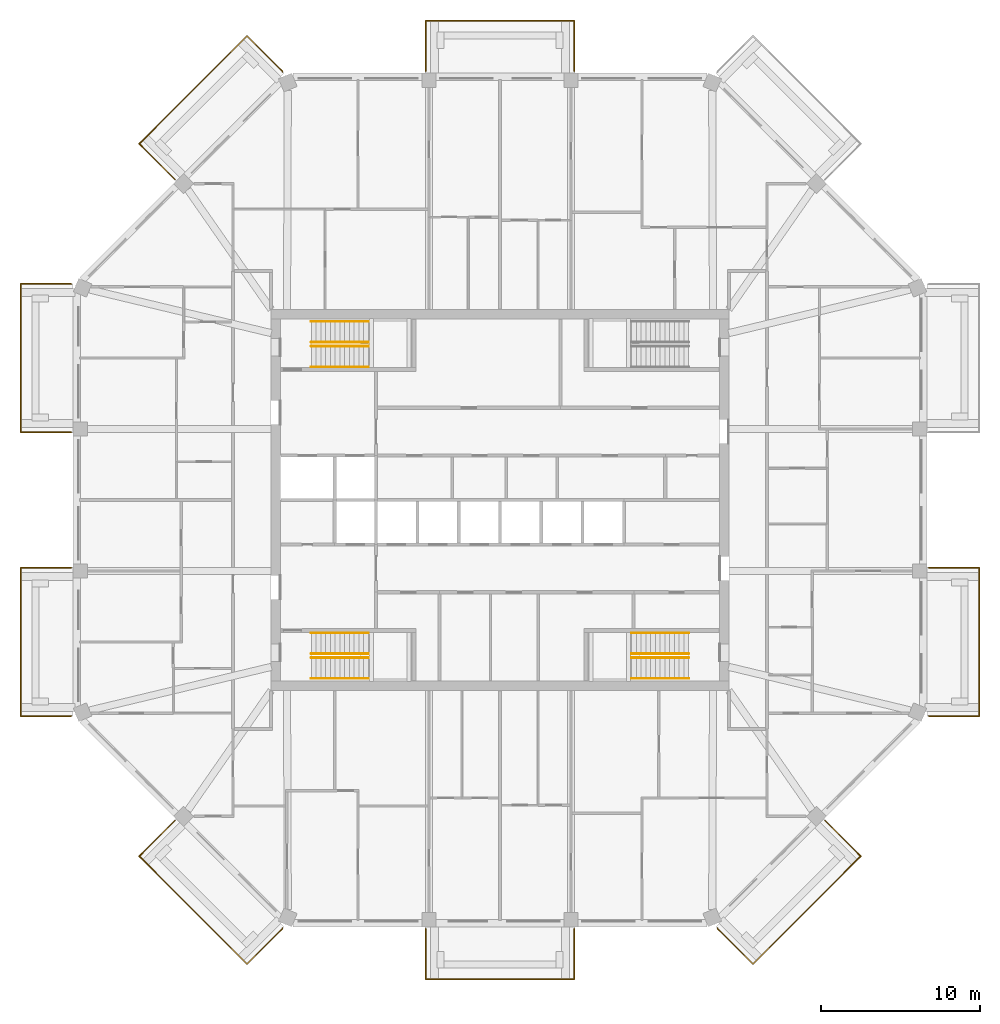
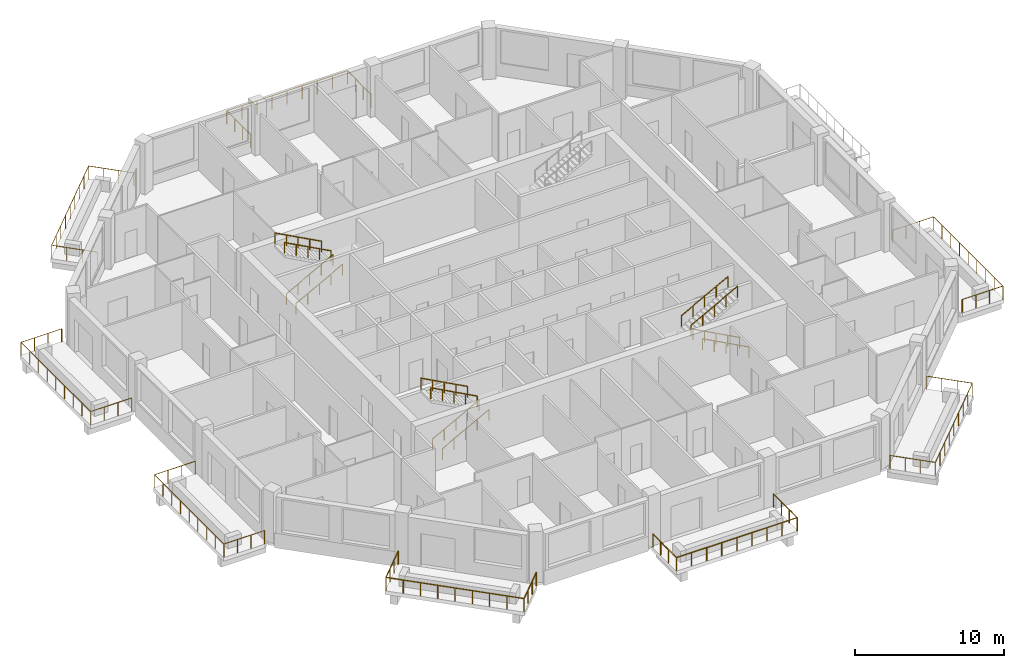
# One storey, part 11 of 12: 20 railings.
"""IFC4 building model written with IfcOpenShell, lengths in metres."""

import ifcopenshell
import ifcopenshell.guid

model = None  # the IFC model being written
_history = None  # IfcOwnerHistory: only IFC2X3 demands one
_inside = {}  # id of a spatial element -> (the spatial element, [elements in it])
_under = {}  # id of a project, library or spatial element -> (it, [spatial elements below it])
_declared = {}  # id of a project -> (the project, [libraries it declares])
_typed = {}  # id of a type object -> (the type object, [elements of that type])
_made_of = {}  # id of a material, layer set ... -> (it, [elements and type objects made of it])


def new_model(schema):
    """Start an empty IFC model of exactly this schema.

    Asked for "IFC4X3", IfcOpenShell would pick the latest addendum, in which some entities
    have other attributes; the version numbers below select the first issue.
    IFC2X3 requires an IfcOwnerHistory on every rooted entity: one is made here for all.
    """
    global model, _history
    if schema == "IFC4X3":
        model = ifcopenshell.file(schema_version=(4, 3, 0, 0))
    else:
        model = ifcopenshell.file(schema=schema)
    _inside.clear()
    _under.clear()
    _declared.clear()
    _typed.clear()
    _made_of.clear()
    _history = None
    if model.schema == "IFC2X3":
        org = make("IfcOrganization", Name="unknown")
        user = make(
            "IfcPersonAndOrganization",
            ThePerson=make("IfcPerson", FamilyName="unknown"),
            TheOrganization=org,
        )
        app = make(
            "IfcApplication",
            ApplicationDeveloper=org,
            Version="unknown",
            ApplicationFullName="unknown",
            ApplicationIdentifier="unknown",
        )
        _history = make(
            "IfcOwnerHistory",
            OwningUser=user,
            OwningApplication=app,
            ChangeAction="ADDED",
            CreationDate=0,
        )
    return model


def make(cls, **values):
    """One entity of the class cls with the attributes given. An attribute that is None is left unset."""
    return model.create_entity(
        cls, **{name: value for name, value in values.items() if value is not None}
    )


def rooted(cls, **values):
    """An entity with a GlobalId (a new one), such as an element, a storey or a relation."""
    return make(cls, GlobalId=ifcopenshell.guid.new(), OwnerHistory=_history, **values)


def si_unit(unit_type, name, prefix=None):
    """IfcSIUnit, for example si_unit("LENGTHUNIT", "METRE", prefix="MILLI")."""
    return make("IfcSIUnit", UnitType=unit_type, Prefix=prefix, Name=name)


def assignment(units):
    """IfcUnitAssignment: the units of a project."""
    return None if units is None else make("IfcUnitAssignment", Units=units)


def point(xyz):
    """IfcCartesianPoint."""
    return None if xyz is None else make("IfcCartesianPoint", Coordinates=xyz)


def direction(xyz):
    """IfcDirection."""
    return None if xyz is None else make("IfcDirection", DirectionRatios=xyz)


def frame(location, z_axis=None, x_axis=None):
    """IfcAxis2Placement3D, a coordinate frame: its origin and axes. An axis left out is left unset."""
    return make(
        "IfcAxis2Placement3D",
        Location=point(location),
        Axis=direction(z_axis),
        RefDirection=direction(x_axis),
    )


def frame_2d(location, x_axis=None):
    """IfcAxis2Placement2D, a coordinate frame in the plane: its origin and x axis."""
    return make(
        "IfcAxis2Placement2D", Location=point(location), RefDirection=direction(x_axis)
    )


def origin():
    """The frame at (0, 0, 0) with its axes left unset."""
    return frame((0.0, 0.0, 0.0))


def origin_2d():
    """The frame at (0, 0) in the plane with its x axis left unset."""
    return frame_2d((0.0, 0.0))


def place(relative_to, where):
    """IfcLocalPlacement: puts the frame where relative to a parent placement (None: the world)."""
    return make(
        "IfcLocalPlacement", PlacementRelTo=relative_to, RelativePlacement=where
    )


def context(
    kind, dimensions, precision=None, world=None, true_north=None, identifier=None
):
    """IfcGeometricRepresentationContext, for example the 3D "Model" context."""
    return make(
        "IfcGeometricRepresentationContext",
        ContextIdentifier=identifier,
        ContextType=kind,
        CoordinateSpaceDimension=dimensions,
        Precision=precision,
        WorldCoordinateSystem=world,
        TrueNorth=true_north,
    )


def subcontext(parent, identifier, kind, view, scale=None):
    """IfcGeometricRepresentationSubContext, for example "Body" below "Model"."""
    return make(
        "IfcGeometricRepresentationSubContext",
        ContextIdentifier=identifier,
        ContextType=kind,
        ParentContext=parent,
        TargetScale=scale,
        TargetView=view,
    )


def project(units=None, contexts=None):
    """IfcProject with its units and contexts."""
    return rooted(
        "IfcProject",
        Name="project",
        RepresentationContexts=contexts,
        UnitsInContext=assignment(units),
    )


def spatial(cls, under=None, at=None, **own):
    """A site, building, storey or space (cls), placed at a placement, below another one or the project."""
    s = rooted(cls, ObjectPlacement=at, **own)
    if under is not None:
        _under.setdefault(under.id(), (under, []))[1].append(s)
    return s


def profile(cls, at=None, kind="AREA", **sizes):
    """A parametric profile (cls). Its sizes go by their IFC names, for example OverallWidth=200.0."""
    return make(cls, ProfileType=kind, Position=at, **sizes)


def circle(**sizes):
    """IfcCircleProfileDef."""
    return profile("IfcCircleProfileDef", **sizes)


def extrude(swept, where, along, depth):
    """IfcExtrudedAreaSolid: the profile swept, set in the frame where, extruded along a direction by depth."""
    return make(
        "IfcExtrudedAreaSolid",
        SweptArea=swept,
        Position=where,
        ExtrudedDirection=direction(along),
        Depth=depth,
    )


def shape(context_of_items, identifier, shape_type, items):
    """IfcShapeRepresentation: the items that make up one representation, for example the "Body"."""
    return make(
        "IfcShapeRepresentation",
        ContextOfItems=context_of_items,
        RepresentationIdentifier=identifier,
        RepresentationType=shape_type,
        Items=items,
    )


def material(Name=None, Category=None):
    """IfcMaterial."""
    return make("IfcMaterial", Name=Name, Category=Category)


def constituent(of_material, Name=None, Category=None, fraction=None):
    """IfcMaterialConstituent: one of the materials an element consists of."""
    return make(
        "IfcMaterialConstituent",
        Name=Name,
        Material=of_material,
        Fraction=fraction,
        Category=Category,
    )


def constituent_set(constituents=None, Name=None):
    """IfcMaterialConstituentSet."""
    return make(
        "IfcMaterialConstituentSet", Name=Name, MaterialConstituents=constituents
    )


def made_of(thing, what):
    """Note that an element or type object is made of a material, layer set ...; save() writes the relation."""
    if what is not None:
        _made_of.setdefault(what.id(), (what, []))[1].append(thing)
    return thing


def type_object(cls, material=None, **own):
    """A type object (cls), such as IfcWallType, which elements share."""
    return made_of(rooted(cls, **own), material)


def element(
    cls,
    number,
    at=None,
    inside=None,
    cuts=None,
    type_object=None,
    material=None,
    context=None,
    identifier="Body",
    shape_type=None,
    held_by="IfcProductDefinitionShape",
    body=None,
    shapes=None,
    **own,
):
    """One element of the class cls, such as IfcWall. Its Tag is "e" and its number.

    at: its placement. inside: the storey or other place that contains it. cuts: it is an
    opening in that element (IfcRelVoidsElement). A single representation is given by context,
    identifier, shape_type and body (its items); several are given by shapes. held_by: the class
    of the entity that holds the representations. save() writes the other relations.
    """
    e = rooted(cls, Tag="e%d" % number, ObjectPlacement=at, **own)
    if body is not None:
        shapes = [shape(context, identifier, shape_type, body)]
    if shapes is not None:
        e.Representation = make(held_by, Representations=shapes)
    if inside is not None:
        _inside.setdefault(inside.id(), (inside, []))[1].append(e)
    if cuts is not None:
        rooted(
            "IfcRelVoidsElement", RelatingBuildingElement=cuts, RelatedOpeningElement=e
        )
    if type_object is not None:
        _typed.setdefault(type_object.id(), (type_object, []))[1].append(e)
    return made_of(e, material)


def aggregate(whole, parts):
    """IfcRelAggregates: a whole, such as a stair, and the parts it consists of."""
    return rooted("IfcRelAggregates", RelatingObject=whole, RelatedObjects=parts)


def save(model, path):
    """Write the relations noted so far, then the file.

    IfcRelAggregates (storeys below a building ...), IfcRelContainedInSpatialStructure (elements
    in a storey), IfcRelDefinesByType, IfcRelAssociatesMaterial and IfcRelDeclares: one each for
    every whole, place, type object, material and project.
    """
    for whole, parts in _under.values():
        aggregate(whole, parts)
    for where, things in _inside.values():
        rooted(
            "IfcRelContainedInSpatialStructure",
            RelatedElements=things,
            RelatingStructure=where,
        )
    for kind, things in _typed.values():
        rooted("IfcRelDefinesByType", RelatedObjects=things, RelatingType=kind)
    for what, things in _made_of.values():
        rooted("IfcRelAssociatesMaterial", RelatedObjects=things, RelatingMaterial=what)
    for by, libraries in _declared.values():
        rooted("IfcRelDeclares", RelatingContext=by, RelatedDefinitions=libraries)
    model.write(path)


model = new_model("IFC4")

# Units and contexts
model_context = context("Model", 3, precision=1e-05, world=origin(), true_north=direction((0.0, 1.0)))
body_context = subcontext(model_context, "Body", "Model", "MODEL_VIEW")
ifc_project = project(units=[si_unit("LENGTHUNIT", "METRE"), si_unit("AREAUNIT", "SQUARE_METRE"), si_unit("VOLUMEUNIT", "CUBIC_METRE"), si_unit("PLANEANGLEUNIT", "RADIAN"), si_unit("MASSUNIT", "GRAM", prefix="KILO")], contexts=[model_context])

# Site, building, storey
site_placement = place(None, origin())
site = spatial("IfcSite", under=ifc_project, at=site_placement, CompositionType="ELEMENT")
building_placement = place(site_placement, origin())
building = spatial("IfcBuilding", under=site, at=building_placement, Name="Msitu Wima Residences", CompositionType="ELEMENT")
storey_placement = place(building_placement, frame((0.0, 0.0, 310.5)))
storey = spatial("IfcBuildingStorey", under=building, at=storey_placement, Name="L72", CompositionType="ELEMENT", Elevation=310.5)

# Railings
ifc_material_1 = material(Name="Steel S355", Category="steel")
ifc_constituent_1 = constituent(ifc_material_1, Name="Steel S355")
ifc_material_2 = material(Name="Weathering patina")
ifc_constituent_2 = constituent(ifc_material_2, Name="Weathering patina")
ifc_constituent_set_1 = constituent_set(constituents=[ifc_constituent_1, ifc_constituent_2], Name="Steel S355")
railing_type_1 = type_object("IfcRailingType", Name="Balcony guard GR1100", PredefinedType="GUARDRAIL", material=ifc_constituent_set_1)
railing_1_placement = place(storey_placement, frame((26.97998046875, -4.2685546875, 0.0)))
element("IfcRailing", 1, at=railing_1_placement, inside=storey, type_object=railing_type_1, Name="Balcony guard E0 L72", PredefinedType="GUARDRAIL", context=body_context, shape_type="SweptSolid", body=[
    extrude(circle(Radius=0.02392578125, at=origin_2d()), frame((0.0, 0.0, 1.076171875), z_axis=(1.0, 0.0, 0.0), x_axis=(0.0, 1.0, 0.0)), (0.0, 0.0, 1.0), 3.169921875),
    extrude(circle(Radius=0.02392578125, at=origin_2d()), frame((3.169921875, 0.0, 1.076171875), z_axis=(0.0, -1.0, 0.0), x_axis=(1.0, 0.0, 0.0)), (0.0, 0.0, 1.0), 9.33740234375),
    extrude(circle(Radius=0.02392578125, at=origin_2d()), frame((3.169921875, -9.33740234375, 1.076171875), z_axis=(-1.0, 0.0, 0.0), x_axis=(0.0, -1.0, 0.0)), (0.0, 0.0, 1.0), 3.136474609375),
    extrude(circle(Radius=0.02392578125, at=origin_2d()), frame((0.033447265625, -9.33740234375, 1.076171875), z_axis=(-0.923276184907, 0.384136806859, 0.0), x_axis=(-0.384136806859, -0.923276184907, 0.0)), (0.0, 0.0, 1.0), 0.0361328125),
    extrude(circle(Radius=0.02099609375, at=origin_2d()), origin(), (0.0, 0.0, 1.0), 1.052001953125),
    extrude(circle(Radius=0.02099609375, at=origin_2d()), frame((1.056640625, 0.0, 0.0)), (0.0, 0.0, 1.0), 1.052001953125),
    extrude(circle(Radius=0.02099609375, at=origin_2d()), frame((2.11328125, 0.0, 0.0)), (0.0, 0.0, 1.0), 1.052001953125),
    extrude(circle(Radius=0.02099609375, at=origin_2d()), frame((3.169921875, 0.0, 0.0)), (0.0, 0.0, 1.0), 1.052001953125),
    extrude(circle(Radius=0.02099609375, at=origin_2d()), frame((3.169921875, -1.167236328125, 0.0)), (0.0, 0.0, 1.0), 1.052001953125),
    extrude(circle(Radius=0.02099609375, at=origin_2d()), frame((3.169921875, -2.33447265625, 0.0)), (0.0, 0.0, 1.0), 1.052001953125),
    extrude(circle(Radius=0.02099609375, at=origin_2d()), frame((3.169921875, -3.50146484375, 0.0)), (0.0, 0.0, 1.0), 1.052001953125),
    extrude(circle(Radius=0.02099609375, at=origin_2d()), frame((3.169921875, -4.668701171875, 0.0)), (0.0, 0.0, 1.0), 1.052001953125),
    extrude(circle(Radius=0.02099609375, at=origin_2d()), frame((3.169921875, -5.8359375, 0.0)), (0.0, 0.0, 1.0), 1.052001953125),
    extrude(circle(Radius=0.02099609375, at=origin_2d()), frame((3.169921875, -7.0029296875, 0.0)), (0.0, 0.0, 1.0), 1.052001953125),
    extrude(circle(Radius=0.02099609375, at=origin_2d()), frame((3.169921875, -8.170166015625, 0.0)), (0.0, 0.0, 1.0), 1.052001953125),
    extrude(circle(Radius=0.02099609375, at=origin_2d()), frame((3.169921875, -9.33740234375, 0.0)), (0.0, 0.0, 1.0), 1.052001953125),
    extrude(circle(Radius=0.02099609375, at=origin_2d()), frame((2.12451171875, -9.33740234375, 0.0)), (0.0, 0.0, 1.0), 1.052001953125),
    extrude(circle(Radius=0.02099609375, at=origin_2d()), frame((1.078857421875, -9.33740234375, 0.0)), (0.0, 0.0, 1.0), 1.052001953125),
    extrude(circle(Radius=0.02099609375, at=origin_2d()), frame((0.033447265625, -9.33740234375, 0.0)), (0.0, 0.0, 1.0), 1.052001953125),
    extrude(circle(Radius=0.02099609375, at=origin_2d()), frame((0.0, -9.323486328125, 0.0)), (0.0, 0.0, 1.0), 1.052001953125),
])
railing_2_placement = place(storey_placement, frame((-4.668701171875, 26.97998046875, 0.0)))
element("IfcRailing", 2, at=railing_2_placement, inside=storey, type_object=railing_type_1, Name="Balcony guard N1 L72", PredefinedType="GUARDRAIL", context=body_context, shape_type="SweptSolid", body=[
    extrude(circle(Radius=0.02392578125, at=origin_2d()), frame((0.0, 0.0, 1.076171875), z_axis=(0.0, 1.0, 0.0), x_axis=(-1.0, 0.0, 0.0)), (0.0, 0.0, 1.0), 3.169921875),
    extrude(circle(Radius=0.02392578125, at=origin_2d()), frame((0.0, 3.169921875, 1.076171875), z_axis=(1.0, 0.0, 0.0), x_axis=(0.0, 1.0, 0.0)), (0.0, 0.0, 1.0), 9.33740234375),
    extrude(circle(Radius=0.02392578125, at=origin_2d()), frame((9.33740234375, 3.169921875, 1.076171875), z_axis=(0.0, -1.0, 0.0), x_axis=(1.0, 0.0, 0.0)), (0.0, 0.0, 1.0), 3.169921875),
    extrude(circle(Radius=0.02099609375, at=origin_2d()), origin(), (0.0, 0.0, 1.0), 1.052001953125),
    extrude(circle(Radius=0.02099609375, at=origin_2d()), frame((0.0, 1.056640625, 0.0)), (0.0, 0.0, 1.0), 1.052001953125),
    extrude(circle(Radius=0.02099609375, at=origin_2d()), frame((0.0, 2.11328125, 0.0)), (0.0, 0.0, 1.0), 1.052001953125),
    extrude(circle(Radius=0.02099609375, at=origin_2d()), frame((0.0, 3.169921875, 0.0)), (0.0, 0.0, 1.0), 1.052001953125),
    extrude(circle(Radius=0.02099609375, at=origin_2d()), frame((1.167236328125, 3.169921875, 0.0)), (0.0, 0.0, 1.0), 1.052001953125),
    extrude(circle(Radius=0.02099609375, at=origin_2d()), frame((2.33447265625, 3.169921875, 0.0)), (0.0, 0.0, 1.0), 1.052001953125),
    extrude(circle(Radius=0.02099609375, at=origin_2d()), frame((3.50146484375, 3.169921875, 0.0)), (0.0, 0.0, 1.0), 1.052001953125),
    extrude(circle(Radius=0.02099609375, at=origin_2d()), frame((4.668701171875, 3.169921875, 0.0)), (0.0, 0.0, 1.0), 1.052001953125),
    extrude(circle(Radius=0.02099609375, at=origin_2d()), frame((5.8359375, 3.169921875, 0.0)), (0.0, 0.0, 1.0), 1.052001953125),
    extrude(circle(Radius=0.02099609375, at=origin_2d()), frame((7.0029296875, 3.169921875, 0.0)), (0.0, 0.0, 1.0), 1.052001953125),
    extrude(circle(Radius=0.02099609375, at=origin_2d()), frame((8.170166015625, 3.169921875, 0.0)), (0.0, 0.0, 1.0), 1.052001953125),
    extrude(circle(Radius=0.02099609375, at=origin_2d()), frame((9.33740234375, 3.169921875, 0.0)), (0.0, 0.0, 1.0), 1.052001953125),
    extrude(circle(Radius=0.02099609375, at=origin_2d()), frame((9.33740234375, 2.11328125, 0.0)), (0.0, 0.0, 1.0), 1.052001953125),
    extrude(circle(Radius=0.02099609375, at=origin_2d()), frame((9.33740234375, 1.056640625, 0.0)), (0.0, 0.0, 1.0), 1.052001953125),
    extrude(circle(Radius=0.02099609375, at=origin_2d()), frame((9.33740234375, 0.0, 0.0)), (0.0, 0.0, 1.0), 1.052001953125),
])
railing_3_placement = place(storey_placement, frame((-20.45458984375, 20.171630859375, 0.0)))
element("IfcRailing", 3, at=railing_3_placement, inside=storey, type_object=railing_type_1, Name="Balcony guard NW0 L72", PredefinedType="GUARDRAIL", context=body_context, shape_type="SweptSolid", body=[
    extrude(circle(Radius=0.02392578125, at=origin_2d()), frame((0.0, 0.0, 1.076171875), z_axis=(-0.707106781187, 0.707106781187, 0.0), x_axis=(-0.707106781187, -0.707106781187, 0.0)), (0.0, 0.0, 1.0), 3.169921875),
    extrude(circle(Radius=0.02392578125, at=origin_2d()), frame((-2.241455078125, 2.241455078125, 1.076171875), z_axis=(0.707106781187, 0.707106781187, 0.0), x_axis=(-0.707106781187, 0.707106781187, 0.0)), (0.0, 0.0, 1.0), 9.58837890625),
    extrude(circle(Radius=0.02392578125, at=origin_2d()), frame((4.53857421875, 9.021484375, 1.076171875), z_axis=(0.707106781187, -0.707106781187, 0.0), x_axis=(0.707106781187, 0.707106781187, 0.0)), (0.0, 0.0, 1.0), 3.136474609375),
    extrude(circle(Radius=0.02392578125, at=origin_2d()), frame((6.75634765625, 6.8037109375, 1.076171875), z_axis=(0.38176015442, -0.92426142649, 0.0), x_axis=(0.92426142649, 0.38176015442, 0.0)), (0.0, 0.0, 1.0), 0.036376953125),
    extrude(circle(Radius=0.02099609375, at=origin_2d()), origin(), (0.0, 0.0, 1.0), 1.052001953125),
    extrude(circle(Radius=0.02099609375, at=origin_2d()), frame((-0.7470703125, 0.7470703125, 0.0)), (0.0, 0.0, 1.0), 1.052001953125),
    extrude(circle(Radius=0.02099609375, at=origin_2d()), frame((-1.494384765625, 1.494384765625, 0.0)), (0.0, 0.0, 1.0), 1.052001953125),
    extrude(circle(Radius=0.02099609375, at=origin_2d()), frame((-2.241455078125, 2.241455078125, 0.0)), (0.0, 0.0, 1.0), 1.052001953125),
    extrude(circle(Radius=0.02099609375, at=origin_2d()), frame((-1.39404296875, 3.0888671875, 0.0)), (0.0, 0.0, 1.0), 1.052001953125),
    extrude(circle(Radius=0.02099609375, at=origin_2d()), frame((-0.54638671875, 3.9365234375, 0.0)), (0.0, 0.0, 1.0), 1.052001953125),
    extrude(circle(Radius=0.02099609375, at=origin_2d()), frame((0.301025390625, 4.783935546875, 0.0)), (0.0, 0.0, 1.0), 1.052001953125),
    extrude(circle(Radius=0.02099609375, at=origin_2d()), frame((1.1484375, 5.63134765625, 0.0)), (0.0, 0.0, 1.0), 1.052001953125),
    extrude(circle(Radius=0.02099609375, at=origin_2d()), frame((1.99609375, 6.47900390625, 0.0)), (0.0, 0.0, 1.0), 1.052001953125),
    extrude(circle(Radius=0.02099609375, at=origin_2d()), frame((2.843505859375, 7.326416015625, 0.0)), (0.0, 0.0, 1.0), 1.052001953125),
    extrude(circle(Radius=0.02099609375, at=origin_2d()), frame((3.691162109375, 8.174072265625, 0.0)), (0.0, 0.0, 1.0), 1.052001953125),
    extrude(circle(Radius=0.02099609375, at=origin_2d()), frame((4.53857421875, 9.021484375, 0.0)), (0.0, 0.0, 1.0), 1.052001953125),
    extrude(circle(Radius=0.02099609375, at=origin_2d()), frame((5.27783203125, 8.2822265625, 0.0)), (0.0, 0.0, 1.0), 1.052001953125),
    extrude(circle(Radius=0.02099609375, at=origin_2d()), frame((6.01708984375, 7.54296875, 0.0)), (0.0, 0.0, 1.0), 1.052001953125),
    extrude(circle(Radius=0.02099609375, at=origin_2d()), frame((6.75634765625, 6.8037109375, 0.0)), (0.0, 0.0, 1.0), 1.052001953125),
    extrude(circle(Radius=0.02099609375, at=origin_2d()), frame((6.770263671875, 6.77001953125, 0.0)), (0.0, 0.0, 1.0), 1.052001953125),
])
railing_4_placement = place(storey_placement, frame((-26.97998046875, 4.2685546875, 0.0)))
element("IfcRailing", 4, at=railing_4_placement, inside=storey, type_object=railing_type_1, Name="Balcony guard W0 L72", PredefinedType="GUARDRAIL", context=body_context, shape_type="SweptSolid", body=[
    extrude(circle(Radius=0.02392578125, at=origin_2d()), frame((0.0, 0.0, 1.076171875), z_axis=(-1.0, 0.0, 0.0), x_axis=(0.0, -1.0, 0.0)), (0.0, 0.0, 1.0), 3.169921875),
    extrude(circle(Radius=0.02392578125, at=origin_2d()), frame((-3.169921875, 0.0, 1.076171875), z_axis=(0.0, 1.0, 0.0), x_axis=(-1.0, 0.0, 0.0)), (0.0, 0.0, 1.0), 9.33740234375),
    extrude(circle(Radius=0.02392578125, at=origin_2d()), frame((-3.169921875, 9.33740234375, 1.076171875), z_axis=(1.0, 0.0, 0.0), x_axis=(0.0, 1.0, 0.0)), (0.0, 0.0, 1.0), 3.136474609375),
    extrude(circle(Radius=0.02392578125, at=origin_2d()), frame((-0.033447265625, 9.33740234375, 1.076171875), z_axis=(0.923276184907, -0.384136806859, 0.0), x_axis=(0.384136806859, 0.923276184907, 0.0)), (0.0, 0.0, 1.0), 0.0361328125),
    extrude(circle(Radius=0.02099609375, at=origin_2d()), origin(), (0.0, 0.0, 1.0), 1.052001953125),
    extrude(circle(Radius=0.02099609375, at=origin_2d()), frame((-1.056640625, 0.0, 0.0)), (0.0, 0.0, 1.0), 1.052001953125),
    extrude(circle(Radius=0.02099609375, at=origin_2d()), frame((-2.11328125, 0.0, 0.0)), (0.0, 0.0, 1.0), 1.052001953125),
    extrude(circle(Radius=0.02099609375, at=origin_2d()), frame((-3.169921875, 0.0, 0.0)), (0.0, 0.0, 1.0), 1.052001953125),
    extrude(circle(Radius=0.02099609375, at=origin_2d()), frame((-3.169921875, 1.167236328125, 0.0)), (0.0, 0.0, 1.0), 1.052001953125),
    extrude(circle(Radius=0.02099609375, at=origin_2d()), frame((-3.169921875, 2.33447265625, 0.0)), (0.0, 0.0, 1.0), 1.052001953125),
    extrude(circle(Radius=0.02099609375, at=origin_2d()), frame((-3.169921875, 3.50146484375, 0.0)), (0.0, 0.0, 1.0), 1.052001953125),
    extrude(circle(Radius=0.02099609375, at=origin_2d()), frame((-3.169921875, 4.668701171875, 0.0)), (0.0, 0.0, 1.0), 1.052001953125),
    extrude(circle(Radius=0.02099609375, at=origin_2d()), frame((-3.169921875, 5.8359375, 0.0)), (0.0, 0.0, 1.0), 1.052001953125),
    extrude(circle(Radius=0.02099609375, at=origin_2d()), frame((-3.169921875, 7.0029296875, 0.0)), (0.0, 0.0, 1.0), 1.052001953125),
    extrude(circle(Radius=0.02099609375, at=origin_2d()), frame((-3.169921875, 8.170166015625, 0.0)), (0.0, 0.0, 1.0), 1.052001953125),
    extrude(circle(Radius=0.02099609375, at=origin_2d()), frame((-3.169921875, 9.33740234375, 0.0)), (0.0, 0.0, 1.0), 1.052001953125),
    extrude(circle(Radius=0.02099609375, at=origin_2d()), frame((-2.12451171875, 9.33740234375, 0.0)), (0.0, 0.0, 1.0), 1.052001953125),
    extrude(circle(Radius=0.02099609375, at=origin_2d()), frame((-1.078857421875, 9.33740234375, 0.0)), (0.0, 0.0, 1.0), 1.052001953125),
    extrude(circle(Radius=0.02099609375, at=origin_2d()), frame((-0.033447265625, 9.33740234375, 0.0)), (0.0, 0.0, 1.0), 1.052001953125),
    extrude(circle(Radius=0.02099609375, at=origin_2d()), frame((0.0, 9.323486328125, 0.0)), (0.0, 0.0, 1.0), 1.052001953125),
])
railing_5_placement = place(storey_placement, frame((-26.97998046875, -13.592041015625, 0.0)))
element("IfcRailing", 5, at=railing_5_placement, inside=storey, type_object=railing_type_1, Name="Balcony guard W2 L72", PredefinedType="GUARDRAIL", context=body_context, shape_type="SweptSolid", body=[
    extrude(circle(Radius=0.02392578125, at=origin_2d()), frame((0.0, 0.0, 1.076171875), z_axis=(-0.923276184907, -0.384136806859, 0.0), x_axis=(0.384136806859, -0.923276184907, 0.0)), (0.0, 0.0, 1.0), 0.0361328125),
    extrude(circle(Radius=0.02392578125, at=origin_2d()), frame((-0.033447265625, -0.013916015625, 1.076171875), z_axis=(-1.0, 0.0, 0.0), x_axis=(0.0, -1.0, 0.0)), (0.0, 0.0, 1.0), 3.136474609375),
    extrude(circle(Radius=0.02392578125, at=origin_2d()), frame((-3.169921875, -0.013916015625, 1.076171875), z_axis=(0.0, 1.0, 0.0), x_axis=(-1.0, 0.0, 0.0)), (0.0, 0.0, 1.0), 9.33740234375),
    extrude(circle(Radius=0.02392578125, at=origin_2d()), frame((-3.169921875, 9.323486328125, 1.076171875), z_axis=(1.0, 0.0, 0.0), x_axis=(0.0, 1.0, 0.0)), (0.0, 0.0, 1.0), 3.169921875),
    extrude(circle(Radius=0.02099609375, at=origin_2d()), origin(), (0.0, 0.0, 1.0), 1.052001953125),
    extrude(circle(Radius=0.02099609375, at=origin_2d()), frame((-0.033447265625, -0.013916015625, 0.0)), (0.0, 0.0, 1.0), 1.052001953125),
    extrude(circle(Radius=0.02099609375, at=origin_2d()), frame((-1.078857421875, -0.013916015625, 0.0)), (0.0, 0.0, 1.0), 1.052001953125),
    extrude(circle(Radius=0.02099609375, at=origin_2d()), frame((-2.12451171875, -0.013916015625, 0.0)), (0.0, 0.0, 1.0), 1.052001953125),
    extrude(circle(Radius=0.02099609375, at=origin_2d()), frame((-3.169921875, -0.013916015625, 0.0)), (0.0, 0.0, 1.0), 1.052001953125),
    extrude(circle(Radius=0.02099609375, at=origin_2d()), frame((-3.169921875, 1.1533203125, 0.0)), (0.0, 0.0, 1.0), 1.052001953125),
    extrude(circle(Radius=0.02099609375, at=origin_2d()), frame((-3.169921875, 2.3203125, 0.0)), (0.0, 0.0, 1.0), 1.052001953125),
    extrude(circle(Radius=0.02099609375, at=origin_2d()), frame((-3.169921875, 3.487548828125, 0.0)), (0.0, 0.0, 1.0), 1.052001953125),
    extrude(circle(Radius=0.02099609375, at=origin_2d()), frame((-3.169921875, 4.65478515625, 0.0)), (0.0, 0.0, 1.0), 1.052001953125),
    extrude(circle(Radius=0.02099609375, at=origin_2d()), frame((-3.169921875, 5.822021484375, 0.0)), (0.0, 0.0, 1.0), 1.052001953125),
    extrude(circle(Radius=0.02099609375, at=origin_2d()), frame((-3.169921875, 6.9892578125, 0.0)), (0.0, 0.0, 1.0), 1.052001953125),
    extrude(circle(Radius=0.02099609375, at=origin_2d()), frame((-3.169921875, 8.15625, 0.0)), (0.0, 0.0, 1.0), 1.052001953125),
    extrude(circle(Radius=0.02099609375, at=origin_2d()), frame((-3.169921875, 9.323486328125, 0.0)), (0.0, 0.0, 1.0), 1.052001953125),
    extrude(circle(Radius=0.02099609375, at=origin_2d()), frame((-2.11328125, 9.323486328125, 0.0)), (0.0, 0.0, 1.0), 1.052001953125),
    extrude(circle(Radius=0.02099609375, at=origin_2d()), frame((-1.056640625, 9.323486328125, 0.0)), (0.0, 0.0, 1.0), 1.052001953125),
    extrude(circle(Radius=0.02099609375, at=origin_2d()), frame((0.0, 9.323486328125, 0.0)), (0.0, 0.0, 1.0), 1.052001953125),
])
railing_6_placement = place(storey_placement, frame((-13.684326171875, -26.941650390625, 0.0)))
element("IfcRailing", 6, at=railing_6_placement, inside=storey, type_object=railing_type_1, Name="Balcony guard SW1 L72", PredefinedType="GUARDRAIL", context=body_context, shape_type="SweptSolid", body=[
    extrude(circle(Radius=0.02392578125, at=origin_2d()), frame((0.0, 0.0, 1.076171875), z_axis=(-0.38176015442, -0.92426142649, 0.0), x_axis=(0.92426142649, -0.38176015442, 0.0)), (0.0, 0.0, 1.0), 0.036376953125),
    extrude(circle(Radius=0.02392578125, at=origin_2d()), frame((-0.013916015625, -0.03369140625, 1.076171875), z_axis=(-0.707106781187, -0.707106781187, 0.0), x_axis=(0.707106781187, -0.707106781187, 0.0)), (0.0, 0.0, 1.0), 3.136474609375),
    extrude(circle(Radius=0.02392578125, at=origin_2d()), frame((-2.231689453125, -2.25146484375, 1.076171875), z_axis=(-0.707106781187, 0.707106781187, 0.0), x_axis=(-0.707106781187, -0.707106781187, 0.0)), (0.0, 0.0, 1.0), 9.58837890625),
    extrude(circle(Radius=0.02392578125, at=origin_2d()), frame((-9.01171875, 4.528564453125, 1.076171875), z_axis=(0.707106781187, 0.707106781187, 0.0), x_axis=(-0.707106781187, 0.707106781187, 0.0)), (0.0, 0.0, 1.0), 3.169921875),
    extrude(circle(Radius=0.02099609375, at=origin_2d()), origin(), (0.0, 0.0, 1.0), 1.052001953125),
    extrude(circle(Radius=0.02099609375, at=origin_2d()), frame((-0.013916015625, -0.03369140625, 0.0)), (0.0, 0.0, 1.0), 1.052001953125),
    extrude(circle(Radius=0.02099609375, at=origin_2d()), frame((-0.753173828125, -0.77294921875, 0.0)), (0.0, 0.0, 1.0), 1.052001953125),
    extrude(circle(Radius=0.02099609375, at=origin_2d()), frame((-1.492431640625, -1.51220703125, 0.0)), (0.0, 0.0, 1.0), 1.052001953125),
    extrude(circle(Radius=0.02099609375, at=origin_2d()), frame((-2.231689453125, -2.25146484375, 0.0)), (0.0, 0.0, 1.0), 1.052001953125),
    extrude(circle(Radius=0.02099609375, at=origin_2d()), frame((-3.0791015625, -1.404052734375, 0.0)), (0.0, 0.0, 1.0), 1.052001953125),
    extrude(circle(Radius=0.02099609375, at=origin_2d()), frame((-3.9267578125, -0.556396484375, 0.0)), (0.0, 0.0, 1.0), 1.052001953125),
    extrude(circle(Radius=0.02099609375, at=origin_2d()), frame((-4.774169921875, 0.291015625, 0.0)), (0.0, 0.0, 1.0), 1.052001953125),
    extrude(circle(Radius=0.02099609375, at=origin_2d()), frame((-5.62158203125, 1.138671875, 0.0)), (0.0, 0.0, 1.0), 1.052001953125),
    extrude(circle(Radius=0.02099609375, at=origin_2d()), frame((-6.46923828125, 1.986083984375, 0.0)), (0.0, 0.0, 1.0), 1.052001953125),
    extrude(circle(Radius=0.02099609375, at=origin_2d()), frame((-7.316650390625, 2.83349609375, 0.0)), (0.0, 0.0, 1.0), 1.052001953125),
    extrude(circle(Radius=0.02099609375, at=origin_2d()), frame((-8.164306640625, 3.68115234375, 0.0)), (0.0, 0.0, 1.0), 1.052001953125),
    extrude(circle(Radius=0.02099609375, at=origin_2d()), frame((-9.01171875, 4.528564453125, 0.0)), (0.0, 0.0, 1.0), 1.052001953125),
    extrude(circle(Radius=0.02099609375, at=origin_2d()), frame((-8.2646484375, 5.275634765625, 0.0)), (0.0, 0.0, 1.0), 1.052001953125),
    extrude(circle(Radius=0.02099609375, at=origin_2d()), frame((-7.517333984375, 6.02294921875, 0.0)), (0.0, 0.0, 1.0), 1.052001953125),
    extrude(circle(Radius=0.02099609375, at=origin_2d()), frame((-6.770263671875, 6.77001953125, 0.0)), (0.0, 0.0, 1.0), 1.052001953125),
])
railing_7_placement = place(storey_placement, frame((4.668701171875, -26.97998046875, 0.0)))
element("IfcRailing", 7, at=railing_7_placement, inside=storey, type_object=railing_type_1, Name="Balcony guard S1 L72", PredefinedType="GUARDRAIL", context=body_context, shape_type="SweptSolid", body=[
    extrude(circle(Radius=0.02392578125, at=origin_2d()), frame((0.0, 0.0, 1.076171875), z_axis=(0.0, -1.0, 0.0), x_axis=(1.0, 0.0, 0.0)), (0.0, 0.0, 1.0), 3.169921875),
    extrude(circle(Radius=0.02392578125, at=origin_2d()), frame((0.0, -3.169921875, 1.076171875), z_axis=(-1.0, 0.0, 0.0), x_axis=(0.0, -1.0, 0.0)), (0.0, 0.0, 1.0), 9.33740234375),
    extrude(circle(Radius=0.02392578125, at=origin_2d()), frame((-9.33740234375, -3.169921875, 1.076171875), z_axis=(0.0, 1.0, 0.0), x_axis=(-1.0, 0.0, 0.0)), (0.0, 0.0, 1.0), 3.169921875),
    extrude(circle(Radius=0.02099609375, at=origin_2d()), origin(), (0.0, 0.0, 1.0), 1.052001953125),
    extrude(circle(Radius=0.02099609375, at=origin_2d()), frame((0.0, -1.056640625, 0.0)), (0.0, 0.0, 1.0), 1.052001953125),
    extrude(circle(Radius=0.02099609375, at=origin_2d()), frame((0.0, -2.11328125, 0.0)), (0.0, 0.0, 1.0), 1.052001953125),
    extrude(circle(Radius=0.02099609375, at=origin_2d()), frame((0.0, -3.169921875, 0.0)), (0.0, 0.0, 1.0), 1.052001953125),
    extrude(circle(Radius=0.02099609375, at=origin_2d()), frame((-1.167236328125, -3.169921875, 0.0)), (0.0, 0.0, 1.0), 1.052001953125),
    extrude(circle(Radius=0.02099609375, at=origin_2d()), frame((-2.33447265625, -3.169921875, 0.0)), (0.0, 0.0, 1.0), 1.052001953125),
    extrude(circle(Radius=0.02099609375, at=origin_2d()), frame((-3.50146484375, -3.169921875, 0.0)), (0.0, 0.0, 1.0), 1.052001953125),
    extrude(circle(Radius=0.02099609375, at=origin_2d()), frame((-4.668701171875, -3.169921875, 0.0)), (0.0, 0.0, 1.0), 1.052001953125),
    extrude(circle(Radius=0.02099609375, at=origin_2d()), frame((-5.8359375, -3.169921875, 0.0)), (0.0, 0.0, 1.0), 1.052001953125),
    extrude(circle(Radius=0.02099609375, at=origin_2d()), frame((-7.0029296875, -3.169921875, 0.0)), (0.0, 0.0, 1.0), 1.052001953125),
    extrude(circle(Radius=0.02099609375, at=origin_2d()), frame((-8.170166015625, -3.169921875, 0.0)), (0.0, 0.0, 1.0), 1.052001953125),
    extrude(circle(Radius=0.02099609375, at=origin_2d()), frame((-9.33740234375, -3.169921875, 0.0)), (0.0, 0.0, 1.0), 1.052001953125),
    extrude(circle(Radius=0.02099609375, at=origin_2d()), frame((-9.33740234375, -2.11328125, 0.0)), (0.0, 0.0, 1.0), 1.052001953125),
    extrude(circle(Radius=0.02099609375, at=origin_2d()), frame((-9.33740234375, -1.056640625, 0.0)), (0.0, 0.0, 1.0), 1.052001953125),
    extrude(circle(Radius=0.02099609375, at=origin_2d()), frame((-9.33740234375, 0.0, 0.0)), (0.0, 0.0, 1.0), 1.052001953125),
])
railing_8_placement = place(storey_placement, frame((20.45458984375, -20.171630859375, 0.0)))
element("IfcRailing", 8, at=railing_8_placement, inside=storey, type_object=railing_type_1, Name="Balcony guard SE0 L72", PredefinedType="GUARDRAIL", context=body_context, shape_type="SweptSolid", body=[
    extrude(circle(Radius=0.02392578125, at=origin_2d()), frame((0.0, 0.0, 1.076171875), z_axis=(0.707106781187, -0.707106781187, 0.0), x_axis=(0.707106781187, 0.707106781187, 0.0)), (0.0, 0.0, 1.0), 3.169921875),
    extrude(circle(Radius=0.02392578125, at=origin_2d()), frame((2.241455078125, -2.241455078125, 1.076171875), z_axis=(-0.707106781187, -0.707106781187, 0.0), x_axis=(0.707106781187, -0.707106781187, 0.0)), (0.0, 0.0, 1.0), 9.58837890625),
    extrude(circle(Radius=0.02392578125, at=origin_2d()), frame((-4.53857421875, -9.021484375, 1.076171875), z_axis=(-0.707106781187, 0.707106781187, 0.0), x_axis=(-0.707106781187, -0.707106781187, 0.0)), (0.0, 0.0, 1.0), 3.136474609375),
    extrude(circle(Radius=0.02392578125, at=origin_2d()), frame((-6.75634765625, -6.8037109375, 1.076171875), z_axis=(-0.38176015442, 0.92426142649, 0.0), x_axis=(-0.92426142649, -0.38176015442, 0.0)), (0.0, 0.0, 1.0), 0.036376953125),
    extrude(circle(Radius=0.02099609375, at=origin_2d()), origin(), (0.0, 0.0, 1.0), 1.052001953125),
    extrude(circle(Radius=0.02099609375, at=origin_2d()), frame((0.7470703125, -0.7470703125, 0.0)), (0.0, 0.0, 1.0), 1.052001953125),
    extrude(circle(Radius=0.02099609375, at=origin_2d()), frame((1.494384765625, -1.494384765625, 0.0)), (0.0, 0.0, 1.0), 1.052001953125),
    extrude(circle(Radius=0.02099609375, at=origin_2d()), frame((2.241455078125, -2.241455078125, 0.0)), (0.0, 0.0, 1.0), 1.052001953125),
    extrude(circle(Radius=0.02099609375, at=origin_2d()), frame((1.39404296875, -3.0888671875, 0.0)), (0.0, 0.0, 1.0), 1.052001953125),
    extrude(circle(Radius=0.02099609375, at=origin_2d()), frame((0.54638671875, -3.9365234375, 0.0)), (0.0, 0.0, 1.0), 1.052001953125),
    extrude(circle(Radius=0.02099609375, at=origin_2d()), frame((-0.301025390625, -4.783935546875, 0.0)), (0.0, 0.0, 1.0), 1.052001953125),
    extrude(circle(Radius=0.02099609375, at=origin_2d()), frame((-1.1484375, -5.63134765625, 0.0)), (0.0, 0.0, 1.0), 1.052001953125),
    extrude(circle(Radius=0.02099609375, at=origin_2d()), frame((-1.99609375, -6.47900390625, 0.0)), (0.0, 0.0, 1.0), 1.052001953125),
    extrude(circle(Radius=0.02099609375, at=origin_2d()), frame((-2.843505859375, -7.326416015625, 0.0)), (0.0, 0.0, 1.0), 1.052001953125),
    extrude(circle(Radius=0.02099609375, at=origin_2d()), frame((-3.691162109375, -8.174072265625, 0.0)), (0.0, 0.0, 1.0), 1.052001953125),
    extrude(circle(Radius=0.02099609375, at=origin_2d()), frame((-4.53857421875, -9.021484375, 0.0)), (0.0, 0.0, 1.0), 1.052001953125),
    extrude(circle(Radius=0.02099609375, at=origin_2d()), frame((-5.27783203125, -8.2822265625, 0.0)), (0.0, 0.0, 1.0), 1.052001953125),
    extrude(circle(Radius=0.02099609375, at=origin_2d()), frame((-6.01708984375, -7.54296875, 0.0)), (0.0, 0.0, 1.0), 1.052001953125),
    extrude(circle(Radius=0.02099609375, at=origin_2d()), frame((-6.75634765625, -6.8037109375, 0.0)), (0.0, 0.0, 1.0), 1.052001953125),
    extrude(circle(Radius=0.02099609375, at=origin_2d()), frame((-6.770263671875, -6.77001953125, 0.0)), (0.0, 0.0, 1.0), 1.052001953125),
])
ifc_constituent_3 = constituent(ifc_material_1, Name="Steel S355")
ifc_material_3 = material(Name="Black powder coating")
ifc_constituent_4 = constituent(ifc_material_3, Name="Black powder coating")
ifc_constituent_set_2 = constituent_set(constituents=[ifc_constituent_3, ifc_constituent_4], Name="Steel S355")
railing_type_2 = type_object("IfcRailingType", Name="Stair handrail HR1", PredefinedType="HANDRAIL", material=ifc_constituent_set_2)
for number, where, name in (
    (9, (-11.875, 8.375, 0.16162109375), "Stair 1 handrail"),
    (10, (-11.875, 9.675048828125, 0.16162109375), "Stair 1 handrail"),
):
    element("IfcRailing", number, at=place(storey_placement, frame(where)), inside=storey, type_object=railing_type_2, Name=name, PredefinedType="HANDRAIL", context=body_context, shape_type="SweptSolid", body=[
        extrude(circle(Radius=0.02392578125, at=origin_2d()), frame((0.0, 0.0, 0.8759765625), z_axis=(0.880474934443, 0.0, 0.474092701714), x_axis=(0.0, 1.0, 0.0)), (0.0, 0.0, 1.0), 4.0888671875),
        extrude(circle(Radius=0.02099609375, at=origin_2d()), origin(), (0.0, 0.0, 1.0), 0.851806640625),
        extrude(circle(Radius=0.02099609375, at=origin_2d()), frame((0.89990234375, 0.0, 0.484619140625)), (0.0, 0.0, 1.0), 0.851806640625),
        extrude(circle(Radius=0.02099609375, at=origin_2d()), frame((1.800048828125, 0.0, 0.96923828125)), (0.0, 0.0, 1.0), 0.851806640625),
        extrude(circle(Radius=0.02099609375, at=origin_2d()), frame((2.7001953125, 0.0, 1.453857421875)), (0.0, 0.0, 1.0), 0.851806640625),
        extrude(circle(Radius=0.02099609375, at=origin_2d()), frame((3.60009765625, 0.0, 1.9384765625)), (0.0, 0.0, 1.0), 0.851806640625),
    ])
for number, where, name in (
    (11, (-8.27490234375, 9.925048828125, 2.261474609375), "Stair 1 handrail"),
    (12, (-8.27490234375, 11.22509765625, 2.261474609375), "Stair 1 handrail"),
):
    element("IfcRailing", number, at=place(storey_placement, frame(where)), inside=storey, type_object=railing_type_2, Name=name, PredefinedType="HANDRAIL", context=body_context, shape_type="SweptSolid", body=[
        extrude(circle(Radius=0.02392578125, at=origin_2d()), frame((0.0, 0.0, 0.8759765625), z_axis=(-0.880474934443, 0.0, 0.474092701714), x_axis=(0.0, -1.0, 0.0)), (0.0, 0.0, 1.0), 4.0888671875),
        extrude(circle(Radius=0.02099609375, at=origin_2d()), origin(), (0.0, 0.0, 1.0), 0.851806640625),
        extrude(circle(Radius=0.02099609375, at=origin_2d()), frame((-0.89990234375, 0.0, 0.484619140625)), (0.0, 0.0, 1.0), 0.851806640625),
        extrude(circle(Radius=0.02099609375, at=origin_2d()), frame((-1.800048828125, 0.0, 0.96923828125)), (0.0, 0.0, 1.0), 0.851806640625),
        extrude(circle(Radius=0.02099609375, at=origin_2d()), frame((-2.7001953125, 0.0, 1.453857421875)), (0.0, 0.0, 1.0), 0.851806640625),
        extrude(circle(Radius=0.02099609375, at=origin_2d()), frame((-3.60009765625, 0.0, 1.9384765625)), (0.0, 0.0, 1.0), 0.851806640625),
    ])
for number, where, name in (
    (13, (-11.875, -11.22509765625, 0.16162109375), "Stair 2 handrail"),
    (14, (-11.875, -9.925048828125, 0.16162109375), "Stair 2 handrail"),
):
    element("IfcRailing", number, at=place(storey_placement, frame(where)), inside=storey, type_object=railing_type_2, Name=name, PredefinedType="HANDRAIL", context=body_context, shape_type="SweptSolid", body=[
        extrude(circle(Radius=0.02392578125, at=origin_2d()), frame((0.0, 0.0, 0.8759765625), z_axis=(0.880474934443, 0.0, 0.474092701714), x_axis=(0.0, 1.0, 0.0)), (0.0, 0.0, 1.0), 4.0888671875),
        extrude(circle(Radius=0.02099609375, at=origin_2d()), origin(), (0.0, 0.0, 1.0), 0.851806640625),
        extrude(circle(Radius=0.02099609375, at=origin_2d()), frame((0.89990234375, 0.0, 0.484619140625)), (0.0, 0.0, 1.0), 0.851806640625),
        extrude(circle(Radius=0.02099609375, at=origin_2d()), frame((1.800048828125, 0.0, 0.96923828125)), (0.0, 0.0, 1.0), 0.851806640625),
        extrude(circle(Radius=0.02099609375, at=origin_2d()), frame((2.7001953125, 0.0, 1.453857421875)), (0.0, 0.0, 1.0), 0.851806640625),
        extrude(circle(Radius=0.02099609375, at=origin_2d()), frame((3.60009765625, 0.0, 1.9384765625)), (0.0, 0.0, 1.0), 0.851806640625),
    ])
for number, where, name in (
    (15, (-8.27490234375, -9.675048828125, 2.261474609375), "Stair 2 handrail"),
    (16, (-8.27490234375, -8.375, 2.261474609375), "Stair 2 handrail"),
    (17, (11.875, -11.22509765625, 0.16162109375), "Stair 4 handrail"),
    (18, (11.875, -9.925048828125, 0.16162109375), "Stair 4 handrail"),
):
    element("IfcRailing", number, at=place(storey_placement, frame(where)), inside=storey, type_object=railing_type_2, Name=name, PredefinedType="HANDRAIL", context=body_context, shape_type="SweptSolid", body=[
        extrude(circle(Radius=0.02392578125, at=origin_2d()), frame((0.0, 0.0, 0.8759765625), z_axis=(-0.880474934443, 0.0, 0.474092701714), x_axis=(0.0, -1.0, 0.0)), (0.0, 0.0, 1.0), 4.0888671875),
        extrude(circle(Radius=0.02099609375, at=origin_2d()), origin(), (0.0, 0.0, 1.0), 0.851806640625),
        extrude(circle(Radius=0.02099609375, at=origin_2d()), frame((-0.89990234375, 0.0, 0.484619140625)), (0.0, 0.0, 1.0), 0.851806640625),
        extrude(circle(Radius=0.02099609375, at=origin_2d()), frame((-1.800048828125, 0.0, 0.96923828125)), (0.0, 0.0, 1.0), 0.851806640625),
        extrude(circle(Radius=0.02099609375, at=origin_2d()), frame((-2.7001953125, 0.0, 1.453857421875)), (0.0, 0.0, 1.0), 0.851806640625),
        extrude(circle(Radius=0.02099609375, at=origin_2d()), frame((-3.60009765625, 0.0, 1.9384765625)), (0.0, 0.0, 1.0), 0.851806640625),
    ])
for number, where, name in (
    (19, (8.27490234375, -9.675048828125, 2.261474609375), "Stair 4 handrail"),
    (20, (8.27490234375, -8.375, 2.261474609375), "Stair 4 handrail"),
):
    element("IfcRailing", number, at=place(storey_placement, frame(where)), inside=storey, type_object=railing_type_2, Name=name, PredefinedType="HANDRAIL", context=body_context, shape_type="SweptSolid", body=[
        extrude(circle(Radius=0.02392578125, at=origin_2d()), frame((0.0, 0.0, 0.8759765625), z_axis=(0.880474934443, 0.0, 0.474092701714), x_axis=(0.0, 1.0, 0.0)), (0.0, 0.0, 1.0), 4.0888671875),
        extrude(circle(Radius=0.02099609375, at=origin_2d()), origin(), (0.0, 0.0, 1.0), 0.851806640625),
        extrude(circle(Radius=0.02099609375, at=origin_2d()), frame((0.89990234375, 0.0, 0.484619140625)), (0.0, 0.0, 1.0), 0.851806640625),
        extrude(circle(Radius=0.02099609375, at=origin_2d()), frame((1.800048828125, 0.0, 0.96923828125)), (0.0, 0.0, 1.0), 0.851806640625),
        extrude(circle(Radius=0.02099609375, at=origin_2d()), frame((2.7001953125, 0.0, 1.453857421875)), (0.0, 0.0, 1.0), 0.851806640625),
        extrude(circle(Radius=0.02099609375, at=origin_2d()), frame((3.60009765625, 0.0, 1.9384765625)), (0.0, 0.0, 1.0), 0.851806640625),
    ])

save(model, "model.ifc")
